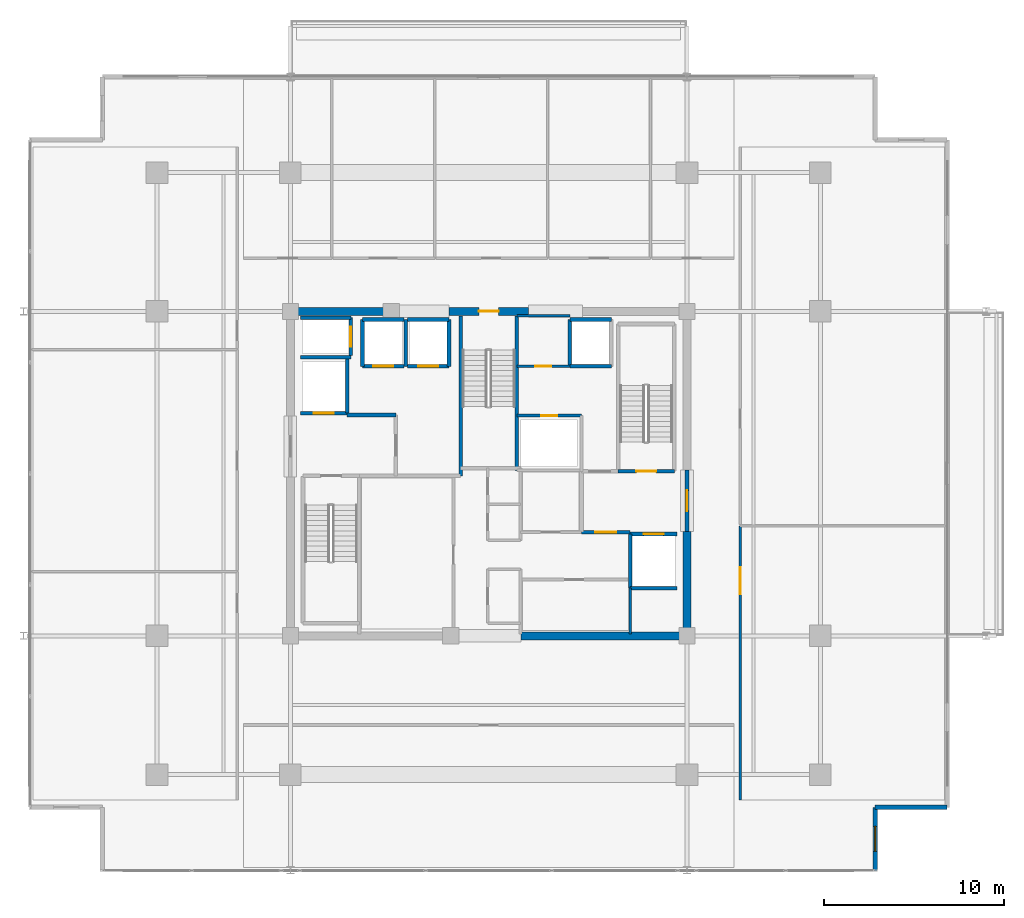
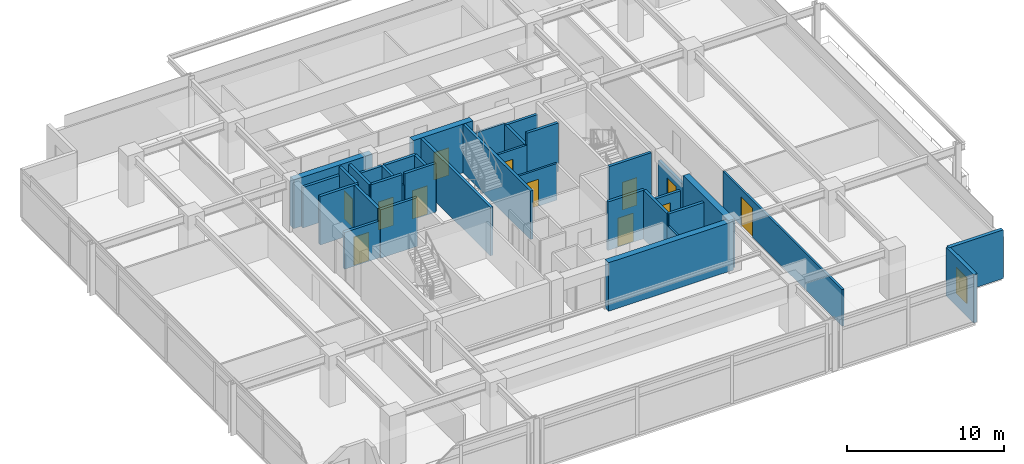
# One storey, part 14 of 20: 35 walls, 12 doors, 1 window, 13 openings.
"""IFC4 building model written with IfcOpenShell, lengths in metres."""

from ifc_helpers import new_model, si_unit, direction, frame, frame_2d, origin, place, context, subcontext, project, spatial, rectangle, extrude, material, layer, layer_set, type_object, element, fill, save


model = new_model("IFC4")

# Units and contexts
model_context = context("Model", 3, precision=1e-05, world=origin(), true_north=direction((0.0, 1.0)))
body_context = subcontext(model_context, "Body", "Model", "MODEL_VIEW")
ifc_project = project(units=[si_unit("LENGTHUNIT", "METRE"), si_unit("AREAUNIT", "SQUARE_METRE"), si_unit("VOLUMEUNIT", "CUBIC_METRE"), si_unit("PLANEANGLEUNIT", "RADIAN"), si_unit("MASSUNIT", "GRAM", prefix="KILO")], contexts=[model_context])

# Site, building, storey
site_placement = place(None, origin())
site = spatial("IfcSite", under=ifc_project, at=site_placement, CompositionType="ELEMENT")
building_placement = place(site_placement, origin())
building = spatial("IfcBuilding", under=site, at=building_placement, Name="Kovane Verandah Tower", CompositionType="ELEMENT")
storey_placement = place(building_placement, frame((0.0, 0.0, 287.199951171875)))
storey = spatial("IfcBuildingStorey", under=building, at=storey_placement, Name="L67", CompositionType="ELEMENT", Elevation=287.199951171875)

# Wall
ifc_material_1 = material(Name="Fire-Rated Gypsum Stud Partition", Category="gypsum")
ifc_layer_1 = layer(ifc_material_1, 0.14990234375)
ifc_layer_set_1 = layer_set([ifc_layer_1], Name="Fire-Rated Gypsum Stud Partition")
wall_type_1 = type_object("IfcWallType", Name="WL-COR-150", PredefinedType="PARTITIONING", material=ifc_layer_set_1)
wall_1_placement = place(storey_placement, frame((47.85009765625, 18.60009765625, 0.0), z_axis=(0.0, 0.0, 1.0), x_axis=(0.0, 1.0, 0.0)))
element("IfcWall", 1, at=wall_1_placement, inside=storey, type_object=wall_type_1, Name="L67 East Core Support East Wall", PredefinedType="PARTITIONING", context=body_context, shape_type="SweptSolid", body=[
    extrude(rectangle(XDim=2.539794921875, YDim=0.14990234375, at=frame_2d((1.27001953125, 0.0))), origin(), (0.0, 0.0, 1.0), 2.85009765625),
])

# Wall, opening, door
wall_2_placement = place(storey_placement, frame((41.56005859375, 30.719970703125, 0.0), z_axis=(0.0, 0.0, 1.0), x_axis=(1.0, 0.0, 0.0)))
wall_2 = element("IfcWall", 2, at=wall_2_placement, inside=storey, type_object=wall_type_1, Name="L67 Combined Chilled Water and Smoke Duct Room Partition", PredefinedType="PARTITIONING", context=body_context, shape_type="SweptSolid", body=[
    extrude(rectangle(XDim=3.58984375, YDim=0.14990234375, at=frame_2d((1.794921875, 0.0))), origin(), (0.0, 0.0, 1.0), 2.85009765625),
])
opening_1_placement = place(wall_2_placement, frame((1.35498046875, 0.0, 0.0)))
opening_1 = element("IfcOpeningElement", 3, at=opening_1_placement, cuts=wall_2, Name="Opening DR-L67-017", PredefinedType="OPENING", context=body_context, shape_type="SweptSolid", body=[
    extrude(rectangle(XDim=0.8798828125, YDim=2.10009765625, at=frame_2d((0.43994140625, 1.050048828125))), frame((0.0, 0.074951171875, 0.0), z_axis=(0.0, -1.0, 0.0), x_axis=(1.0, 0.0, 0.0)), (0.0, 0.0, 1.0), 0.14990234375),
])
ifc_material_2 = material(Name="Fire-Rated Steel Riser Access Door", Category="steel")
door_type_1 = type_object("IfcDoorType", Name="DR-RISER-880", OperationType="SINGLE_SWING_LEFT", PredefinedType="DOOR", material=ifc_material_2)
door_1_placement = place(opening_1_placement, origin())
door_1 = element("IfcDoor", 4, at=door_1_placement, inside=storey, type_object=door_type_1, Name="L67 Combined Chilled Water and Smoke Duct Room Door", OperationType="SINGLE_SWING_RIGHT", OverallHeight=2.10009765625, OverallWidth=0.8798828125, PredefinedType="DOOR", context=body_context, shape_type="SweptSolid", body=[
    extrude(rectangle(XDim=0.8798828125, YDim=2.10009765625, at=frame_2d((0.43994140625, 1.050048828125))), frame((0.0, 0.02490234375, 0.0), z_axis=(0.0, -1.0, 0.0), x_axis=(1.0, 0.0, 0.0)), (0.0, 0.0, 1.0), 0.050048828125),
])
fill(opening_1, door_1)

# Wall
wall_3_placement = place(storey_placement, frame((41.56005859375, 36.25, 0.0), z_axis=(0.0, 0.0, 1.0), x_axis=(1.0, 0.0, 0.0)))
element("IfcWall", 5, at=wall_3_placement, inside=storey, type_object=wall_type_1, Name="L67 Sky Telecom Riser North Wall", PredefinedType="PARTITIONING", context=body_context, shape_type="SweptSolid", body=[
    extrude(rectangle(XDim=2.93994140625, YDim=0.14990234375, at=frame_2d((1.469970703125, 0.0))), origin(), (0.0, 0.0, 1.0), 2.85009765625),
])

# Wall, opening, door
wall_4_placement = place(storey_placement, frame((41.56005859375, 33.449951171875, 0.0), z_axis=(0.0, 0.0, 1.0), x_axis=(1.0, 0.0, 0.0)))
wall_4 = element("IfcWall", 6, at=wall_4_placement, inside=storey, type_object=wall_type_1, Name="L67 Sky Telecom Riser Room Partition", PredefinedType="PARTITIONING", context=body_context, shape_type="SweptSolid", body=[
    extrude(rectangle(XDim=2.93994140625, YDim=0.14990234375, at=frame_2d((1.469970703125, 0.0))), origin(), (0.0, 0.0, 1.0), 2.85009765625),
])
opening_2_placement = place(wall_4_placement, frame((1.030029296875, 0.0, 0.0)))
opening_2 = element("IfcOpeningElement", 7, at=opening_2_placement, cuts=wall_4, Name="Opening DR-L67-016", PredefinedType="OPENING", context=body_context, shape_type="SweptSolid", body=[
    extrude(rectangle(XDim=0.8798828125, YDim=2.10009765625, at=frame_2d((0.43994140625, 1.050048828125))), frame((0.0, 0.074951171875, 0.0), z_axis=(0.0, -1.0, 0.0), x_axis=(1.0, 0.0, 0.0)), (0.0, 0.0, 1.0), 0.14990234375),
])
door_2_placement = place(opening_2_placement, origin())
door_2 = element("IfcDoor", 8, at=door_2_placement, inside=storey, type_object=door_type_1, Name="L67 Sky Telecom Riser Room Door", OperationType="SINGLE_SWING_LEFT", OverallHeight=2.10009765625, OverallWidth=0.8798828125, PredefinedType="DOOR", context=body_context, shape_type="SweptSolid", body=[
    extrude(rectangle(XDim=0.8798828125, YDim=2.10009765625, at=frame_2d((0.43994140625, 1.050048828125))), frame((0.0, 0.02490234375, 0.0), z_axis=(0.0, -1.0, 0.0), x_axis=(1.0, 0.0, 0.0)), (0.0, 0.0, 1.0), 0.050048828125),
])
fill(opening_2, door_2)

wall_5_placement = place(storey_placement, frame((53.949951171875, 9.3857421875, 0.0), z_axis=(0.0, 0.0, 1.0), x_axis=(0.0, 1.0, 0.0)))
wall_5 = element("IfcWall", 9, at=wall_5_placement, inside=storey, type_object=wall_type_1, Name="L67 Client Boardroom E1 Corridor Partition", PredefinedType="PARTITIONING", context=body_context, shape_type="SweptSolid", body=[
    extrude(rectangle(XDim=15.216064453125, YDim=0.14990234375, at=frame_2d((7.60791015625, 0.0))), origin(), (0.0, 0.0, 1.0), 2.85009765625),
])
opening_3_placement = place(wall_5_placement, frame((11.43017578125, 0.0, 0.0)))
opening_3 = element("IfcOpeningElement", 10, at=opening_3_placement, cuts=wall_5, Name="Opening DR-L67-011", PredefinedType="OPENING", context=body_context, shape_type="SweptSolid", body=[
    extrude(rectangle(XDim=1.5, YDim=2.25, at=frame_2d((0.75, 1.125))), frame((0.0, 0.074951171875, 0.0), z_axis=(0.0, -1.0, 0.0), x_axis=(1.0, 0.0, 0.0)), (0.0, 0.0, 1.0), 0.14990234375),
])
ifc_material_3 = material(Name="Glazed Timber Fire-Rated Double Door", Category="wood")
door_type_2 = type_object("IfcDoorType", Name="DR-CONF-1500", OperationType="DOUBLE_DOOR_SINGLE_SWING", PredefinedType="DOOR", material=ifc_material_3)
door_3_placement = place(opening_3_placement, origin())
door_3 = element("IfcDoor", 11, at=door_3_placement, inside=storey, type_object=door_type_2, Name="L67 Client Boardroom E1 Entrance Door", OperationType="DOUBLE_DOOR_SINGLE_SWING", OverallHeight=2.25, OverallWidth=1.5, PredefinedType="DOOR", context=body_context, shape_type="SweptSolid", body=[
    extrude(rectangle(XDim=1.5, YDim=2.25, at=frame_2d((0.75, 1.125))), frame((0.0, 0.02490234375, 0.0), z_axis=(0.0, -1.0, 0.0), x_axis=(1.0, 0.0, 0.0)), (0.0, 0.0, 1.0), 0.050048828125),
])
fill(opening_3, door_3)

# Walls
ifc_material_4 = material(Name="Concrete C60/75", Category="concrete")
ifc_layer_2 = layer(ifc_material_4, 0.449951171875)
ifc_layer_set_2 = layer_set([ifc_layer_2], Name="Concrete C60/75")
wall_type_2 = type_object("IfcWallType", Name="WL-CORE-450", PredefinedType="SHEAR", material=ifc_layer_set_2)
wall_6_placement = place(storey_placement, frame((41.800048828125, 18.5, 0.0), z_axis=(0.0, 0.0, 1.0), x_axis=(1.0, 0.0, 0.0)))
element("IfcWall", 12, at=wall_6_placement, inside=storey, type_object=wall_type_2, Name="L67 Core Shear Wall CS-2", PredefinedType="SHEAR", context=body_context, shape_type="SweptSolid", body=[
    extrude(rectangle(XDim=9.199951171875, YDim=0.449951171875, at=frame_2d((4.60009765625, 0.0))), origin(), (0.0, 0.0, 1.0), 3.78515625),
])
wall_7_placement = place(storey_placement, frame((29.0, 36.5, 0.0), z_axis=(0.0, 0.0, 1.0), x_axis=(1.0, 0.0, 0.0)))
element("IfcWall", 13, at=wall_7_placement, inside=storey, type_object=wall_type_2, Name="L67 Core Shear Wall CN-1", PredefinedType="SHEAR", context=body_context, shape_type="SweptSolid", body=[
    extrude(rectangle(XDim=5.800048828125, YDim=0.449951171875, at=frame_2d((2.89990234375, 0.0))), origin(), (0.0, 0.0, 1.0), 3.78515625),
])

# Wall, opening, door
wall_8_placement = place(storey_placement, frame((37.800048828125, 36.5, 0.0), z_axis=(0.0, 0.0, 1.0), x_axis=(1.0, 0.0, 0.0)))
wall_8 = element("IfcWall", 14, at=wall_8_placement, inside=storey, type_object=wall_type_2, Name="L67 Core Shear Wall CN-2", PredefinedType="SHEAR", context=body_context, shape_type="SweptSolid", body=[
    extrude(rectangle(XDim=4.39990234375, YDim=0.449951171875, at=frame_2d((2.199951171875, 0.0))), origin(), (0.0, 0.0, 1.0), 3.78515625),
])
opening_4_placement = place(wall_8_placement, frame((1.64990234375, 0.0, 0.0)))
opening_4 = element("IfcOpeningElement", 15, at=opening_4_placement, cuts=wall_8, Name="Opening DR-L67-010", PredefinedType="OPENING", context=body_context, shape_type="SweptSolid", body=[
    extrude(rectangle(XDim=1.10009765625, YDim=2.14990234375, at=frame_2d((0.550048828125, 1.074951171875))), frame((0.0, 0.22509765625, 0.0), z_axis=(0.0, -1.0, 0.0), x_axis=(1.0, 0.0, 0.0)), (0.0, 0.0, 1.0), 0.449951171875),
])
ifc_material_5 = material(Name="Fire-Rated Steel Exit Door", Category="steel")
door_type_3 = type_object("IfcDoorType", Name="DR-STAIR-1100", OperationType="SINGLE_SWING_LEFT", PredefinedType="DOOR", material=ifc_material_5)
door_4_placement = place(opening_4_placement, origin())
door_4 = element("IfcDoor", 16, at=door_4_placement, inside=storey, type_object=door_type_3, Name="L67 ST-03 Fire Exit Stair Door", OperationType="SINGLE_SWING_LEFT", OverallHeight=2.14990234375, OverallWidth=1.10009765625, PredefinedType="DOOR", context=body_context, shape_type="SweptSolid", body=[
    extrude(rectangle(XDim=1.10009765625, YDim=2.14990234375, at=frame_2d((0.550048828125, 1.074951171875))), frame((0.0, 0.02490234375, 0.0), z_axis=(0.0, -1.0, 0.0), x_axis=(1.0, 0.0, 0.0)), (0.0, 0.0, 1.0), 0.050048828125),
])
fill(opening_4, door_4)

# Walls
wall_9_placement = place(storey_placement, frame((51.0, 18.5, 0.0), z_axis=(0.0, 0.0, 1.0), x_axis=(0.0, 1.0, 0.0)))
element("IfcWall", 17, at=wall_9_placement, inside=storey, type_object=wall_type_2, Name="L67 Core Shear Wall CE-1", PredefinedType="SHEAR", context=body_context, shape_type="SweptSolid", body=[
    extrude(rectangle(XDim=5.800048828125, YDim=0.449951171875, at=frame_2d((2.89990234375, 0.0))), origin(), (0.0, 0.0, 1.0), 3.78515625),
])
ifc_material_6 = material(Name="Concrete C45/55 Fire Wall", Category="concrete")
ifc_layer_3 = layer(ifc_material_6, 0.199951171875)
ifc_layer_set_3 = layer_set([ifc_layer_3], Name="Concrete C45/55 Fire Wall")
wall_type_3 = type_object("IfcWallType", Name="WL-FFL-200", PredefinedType="PARTITIONING", material=ifc_layer_set_3)
wall_10_placement = place(storey_placement, frame((32.14990234375, 30.75, 0.0), z_axis=(0.0, 0.0, 1.0), x_axis=(1.0, 0.0, 0.0)))
element("IfcWall", 18, at=wall_10_placement, inside=storey, type_object=wall_type_3, Name="L67 West Firefighting Lobby North Fire Wall", PredefinedType="PARTITIONING", context=body_context, shape_type="SweptSolid", body=[
    extrude(rectangle(XDim=2.7001953125, YDim=0.199951171875, at=frame_2d((1.35009765625, 0.0))), origin(), (0.0, 0.0, 1.0), 3.78515625),
])

# Wall, opening, door
wall_11_placement = place(storey_placement, frame((45.14990234375, 24.25, 0.0), z_axis=(0.0, 0.0, 1.0), x_axis=(1.0, 0.0, 0.0)))
wall_11 = element("IfcWall", 19, at=wall_11_placement, inside=storey, type_object=wall_type_3, Name="W-L67-FFLE-S", PredefinedType="PARTITIONING", context=body_context, shape_type="SweptSolid", body=[
    extrude(rectangle(XDim=2.7001953125, YDim=0.199951171875, at=frame_2d((1.35009765625, 0.0))), origin(), (0.0, 0.0, 1.0), 3.78515625),
])
opening_5_placement = place(wall_11_placement, frame((0.77490234375, 0.0, 0.0)))
opening_5 = element("IfcOpeningElement", 20, at=opening_5_placement, cuts=wall_11, Name="Opening DR-L67-003", PredefinedType="OPENING", context=body_context, shape_type="SweptSolid", body=[
    extrude(rectangle(XDim=1.14990234375, YDim=2.199951171875, at=frame_2d((0.574951171875, 1.10009765625))), frame((0.0, 0.10009765625, 0.0), z_axis=(0.0, -1.0, 0.0), x_axis=(1.0, 0.0, 0.0)), (0.0, 0.0, 1.0), 0.199951171875),
])
ifc_material_7 = material(Name="Smoke-Sealed Firefighting Lobby Door", Category="steel")
door_type_4 = type_object("IfcDoorType", Name="DR-FFL-1150", OperationType="SINGLE_SWING_LEFT", PredefinedType="DOOR", material=ifc_material_7)
door_5_placement = place(opening_5_placement, origin())
door_5 = element("IfcDoor", 21, at=door_5_placement, inside=storey, type_object=door_type_4, Name="L67 East Firefighting Lobby Inner Door", OperationType="SINGLE_SWING_RIGHT", OverallHeight=2.199951171875, OverallWidth=1.14990234375, PredefinedType="DOOR", context=body_context, shape_type="SweptSolid", body=[
    extrude(rectangle(XDim=1.14990234375, YDim=2.199951171875, at=frame_2d((0.574951171875, 1.10009765625))), frame((0.0, 0.02490234375, 0.0), z_axis=(0.0, -1.0, 0.0), x_axis=(1.0, 0.0, 0.0)), (0.0, 0.0, 1.0), 0.050048828125),
])
fill(opening_5, door_5)

wall_12_placement = place(storey_placement, frame((51.0, 24.300048828125, 0.0), z_axis=(0.0, 0.0, 1.0), x_axis=(0.0, 1.0, 0.0)))
wall_12 = element("IfcWall", 22, at=wall_12_placement, inside=storey, type_object=wall_type_3, Name="W-L67-FFLE-OUT", PredefinedType="PARTITIONING", context=body_context, shape_type="SweptSolid", body=[
    extrude(rectangle(XDim=3.39990234375, YDim=0.199951171875, at=frame_2d((1.699951171875, 0.0))), origin(), (0.0, 0.0, 1.0), 2.864990234375),
])
opening_6_placement = place(wall_12_placement, frame((1.125, 0.0, 0.0)))
opening_6 = element("IfcOpeningElement", 23, at=opening_6_placement, cuts=wall_12, Name="Opening DR-L67-005", PredefinedType="OPENING", context=body_context, shape_type="SweptSolid", body=[
    extrude(rectangle(XDim=1.14990234375, YDim=2.199951171875, at=frame_2d((0.574951171875, 1.10009765625))), frame((0.0, 0.10009765625, 0.0), z_axis=(0.0, -1.0, 0.0), x_axis=(1.0, 0.0, 0.0)), (0.0, 0.0, 1.0), 0.199951171875),
])
door_6_placement = place(opening_6_placement, origin())
door_6 = element("IfcDoor", 24, at=door_6_placement, inside=storey, type_object=door_type_4, Name="L67 East Firefighting Lobby Corridor Door", OperationType="SINGLE_SWING_LEFT", OverallHeight=2.199951171875, OverallWidth=1.14990234375, PredefinedType="DOOR", context=body_context, shape_type="SweptSolid", body=[
    extrude(rectangle(XDim=1.14990234375, YDim=2.199951171875, at=frame_2d((0.574951171875, 1.10009765625))), frame((0.0, 0.02490234375, 0.0), z_axis=(0.0, -1.0, 0.0), x_axis=(1.0, 0.0, 0.0)), (0.0, 0.0, 1.0), 0.050048828125),
])
fill(opening_6, door_6)

ifc_material_8 = material(Name="Concrete C45/55 Lift Shaft Wall", Category="concrete")
ifc_layer_4 = layer(ifc_material_8, 0.199951171875)
ifc_layer_set_4 = layer_set([ifc_layer_4], Name="Concrete C45/55 Lift Shaft Wall")
wall_type_4 = type_object("IfcWallType", Name="WL-LIFT-200", PredefinedType="SOLIDWALL", material=ifc_layer_set_4)
wall_13_placement = place(storey_placement, frame((29.550048828125, 30.85009765625, 0.0), z_axis=(0.0, 0.0, 1.0), x_axis=(1.0, 0.0, 0.0)))
wall_13 = element("IfcWall", 25, at=wall_13_placement, inside=storey, type_object=wall_type_4, Name="L67 Lift FL-01 S Shaft Wall", PredefinedType="SOLIDWALL", context=body_context, shape_type="SweptSolid", body=[
    extrude(rectangle(XDim=2.599853515625, YDim=0.199951171875, at=frame_2d((1.2998046875, 0.0))), origin(), (0.0, 0.0, 1.0), 2.864990234375),
])
opening_7_placement = place(wall_13_placement, frame((0.75, 0.0, 0.0)))
opening_7 = element("IfcOpeningElement", 26, at=opening_7_placement, cuts=wall_13, Name="Opening LD-L67-001", PredefinedType="OPENING", context=body_context, shape_type="SweptSolid", body=[
    extrude(rectangle(XDim=1.10009765625, YDim=2.199951171875, at=frame_2d((0.550048828125, 1.10009765625))), frame((0.0, 0.10009765625, 0.0), z_axis=(0.0, -1.0, 0.0), x_axis=(1.0, 0.0, 0.0)), (0.0, 0.0, 1.0), 0.199951171875),
])
ifc_material_9 = material(Name="Brushed Stainless Steel Sliding Lift Landing Door", Category="steel")
door_type_5 = type_object("IfcDoorType", Name="DR-LIFT-1100", OperationType="SLIDING_TO_RIGHT", PredefinedType="DOOR", material=ifc_material_9)
door_7_placement = place(opening_7_placement, origin())
door_7 = element("IfcDoor", 27, at=door_7_placement, inside=storey, type_object=door_type_5, Name="L67 Lift FL-01 Sliding Landing Door", OperationType="SLIDING_TO_RIGHT", OverallHeight=2.199951171875, OverallWidth=1.10009765625, PredefinedType="DOOR", context=body_context, shape_type="SweptSolid", body=[
    extrude(rectangle(XDim=1.10009765625, YDim=2.199951171875, at=frame_2d((0.550048828125, 1.10009765625))), frame((0.0, 0.02490234375, 0.0), z_axis=(0.0, -1.0, 0.0), x_axis=(1.0, 0.0, 0.0)), (0.0, 0.0, 1.0), 0.050048828125),
])
fill(opening_7, door_7)

# Walls
wall_14_placement = place(storey_placement, frame((29.550048828125, 33.949951171875, 0.0), z_axis=(0.0, 0.0, 1.0), x_axis=(1.0, 0.0, 0.0)))
element("IfcWall", 28, at=wall_14_placement, inside=storey, type_object=wall_type_4, Name="L67 Lift FL-01 and GL-01 Shared Shaft Wall", PredefinedType="SOLIDWALL", context=body_context, shape_type="SweptSolid", body=[
    extrude(rectangle(XDim=2.800048828125, YDim=0.199951171875, at=frame_2d((1.39990234375, 0.0))), origin(), (0.0, 0.0, 1.0), 3.78515625),
])
wall_15_placement = place(storey_placement, frame((32.14990234375, 30.85009765625, 0.0), z_axis=(0.0, 0.0, 1.0), x_axis=(0.0, 1.0, 0.0)))
element("IfcWall", 29, at=wall_15_placement, inside=storey, type_object=wall_type_4, Name="L67 Lift FL-01 E Shaft Wall", PredefinedType="SOLIDWALL", context=body_context, shape_type="SweptSolid", body=[
    extrude(rectangle(XDim=3.0, YDim=0.199951171875, at=frame_2d((1.5, 0.0))), origin(), (0.0, 0.0, 1.0), 3.78515625),
])
wall_16_placement = place(storey_placement, frame((47.85009765625, 21.14990234375, 0.0), z_axis=(0.0, 0.0, 1.0), x_axis=(1.0, 0.0, 0.0)))
element("IfcWall", 30, at=wall_16_placement, inside=storey, type_object=wall_type_4, Name="L67 Lift FL-02 S Shaft Wall", PredefinedType="SOLIDWALL", context=body_context, shape_type="SweptSolid", body=[
    extrude(rectangle(XDim=2.599853515625, YDim=0.199951171875, at=frame_2d((1.2998046875, 0.0))), origin(), (0.0, 0.0, 1.0), 3.78515625),
])

# Wall, opening, door
wall_17_placement = place(storey_placement, frame((50.449951171875, 24.14990234375, 0.0), z_axis=(0.0, 0.0, 1.0), x_axis=(-1.0, 0.0, 0.0)))
wall_17 = element("IfcWall", 31, at=wall_17_placement, inside=storey, type_object=wall_type_4, Name="L67 Lift FL-02 N Shaft Wall", PredefinedType="SOLIDWALL", context=body_context, shape_type="SweptSolid", body=[
    extrude(rectangle(XDim=2.599853515625, YDim=0.199951171875, at=frame_2d((1.2998046875, 0.0))), origin(), (0.0, 0.0, 1.0), 2.864990234375),
])
opening_8_placement = place(wall_17_placement, frame((0.75, 0.0, 0.0)))
opening_8 = element("IfcOpeningElement", 32, at=opening_8_placement, cuts=wall_17, Name="Opening LD-L67-002", PredefinedType="OPENING", context=body_context, shape_type="SweptSolid", body=[
    extrude(rectangle(XDim=1.10009765625, YDim=2.199951171875, at=frame_2d((0.550048828125, 1.10009765625))), frame((0.0, 0.10009765625, 0.0), z_axis=(0.0, -1.0, 0.0), x_axis=(1.0, 0.0, 0.0)), (0.0, 0.0, 1.0), 0.199951171875),
])
door_8_placement = place(opening_8_placement, origin())
door_8 = element("IfcDoor", 33, at=door_8_placement, inside=storey, type_object=door_type_5, Name="L67 Lift FL-02 Sliding Landing Door", OperationType="SLIDING_TO_RIGHT", OverallHeight=2.199951171875, OverallWidth=1.10009765625, PredefinedType="DOOR", context=body_context, shape_type="SweptSolid", body=[
    extrude(rectangle(XDim=1.10009765625, YDim=2.199951171875, at=frame_2d((0.550048828125, 1.10009765625))), frame((0.0, 0.02490234375, 0.0), z_axis=(0.0, -1.0, 0.0), x_axis=(1.0, 0.0, 0.0)), (0.0, 0.0, 1.0), 0.050048828125),
])
fill(opening_8, door_8)

# Walls
wall_18_placement = place(storey_placement, frame((47.85009765625, 24.14990234375, 0.0), z_axis=(0.0, 0.0, 1.0), x_axis=(0.0, -1.0, 0.0)))
element("IfcWall", 34, at=wall_18_placement, inside=storey, type_object=wall_type_4, Name="L67 Lift FL-02 W Shaft Wall", PredefinedType="SOLIDWALL", context=body_context, shape_type="SweptSolid", body=[
    extrude(rectangle(XDim=3.0, YDim=0.199951171875, at=frame_2d((1.5, 0.0))), origin(), (0.0, 0.0, 1.0), 3.78515625),
])
wall_19_placement = place(storey_placement, frame((32.35009765625, 36.14990234375, 0.0), z_axis=(0.0, 0.0, 1.0), x_axis=(-1.0, 0.0, 0.0)))
element("IfcWall", 35, at=wall_19_placement, inside=storey, type_object=wall_type_4, Name="L67 Lift GL-01 N Shaft Wall", PredefinedType="SOLIDWALL", context=body_context, shape_type="SweptSolid", body=[
    extrude(rectangle(XDim=2.800048828125, YDim=0.199951171875, at=frame_2d((1.39990234375, 0.0))), origin(), (0.0, 0.0, 1.0), 3.14794921875),
])

# Wall, opening, door
wall_20_placement = place(storey_placement, frame((32.35009765625, 34.050048828125, 0.0), z_axis=(0.0, 0.0, 1.0), x_axis=(0.0, 1.0, 0.0)))
wall_20 = element("IfcWall", 36, at=wall_20_placement, inside=storey, type_object=wall_type_4, Name="L67 Lift GL-01 E Shaft Wall", PredefinedType="SOLIDWALL", context=body_context, shape_type="SweptSolid", body=[
    extrude(rectangle(XDim=2.099853515625, YDim=0.199951171875, at=frame_2d((1.0498046875, 0.0))), origin(), (0.0, 0.0, 1.0), 3.78515625),
])
opening_9_placement = place(wall_20_placement, frame((0.5, 0.0, 0.0)))
opening_9 = element("IfcOpeningElement", 37, at=opening_9_placement, cuts=wall_20, Name="Opening LD-L67-003", PredefinedType="OPENING", context=body_context, shape_type="SweptSolid", body=[
    extrude(rectangle(XDim=1.10009765625, YDim=2.199951171875, at=frame_2d((0.550048828125, 1.10009765625))), frame((0.0, 0.10009765625, 0.0), z_axis=(0.0, -1.0, 0.0), x_axis=(1.0, 0.0, 0.0)), (0.0, 0.0, 1.0), 0.199951171875),
])
door_9_placement = place(opening_9_placement, origin())
door_9 = element("IfcDoor", 38, at=door_9_placement, inside=storey, type_object=door_type_5, Name="L67 Lift GL-01 Sliding Landing Door", OperationType="SLIDING_TO_RIGHT", OverallHeight=2.199951171875, OverallWidth=1.10009765625, PredefinedType="DOOR", context=body_context, shape_type="SweptSolid", body=[
    extrude(rectangle(XDim=1.10009765625, YDim=2.199951171875, at=frame_2d((0.550048828125, 1.10009765625))), frame((0.0, 0.02490234375, 0.0), z_axis=(0.0, -1.0, 0.0), x_axis=(1.0, 0.0, 0.0)), (0.0, 0.0, 1.0), 0.050048828125),
])
fill(opening_9, door_9)

wall_21_placement = place(storey_placement, frame((33.0, 33.449951171875, 0.0), z_axis=(0.0, 0.0, 1.0), x_axis=(1.0, 0.0, 0.0)))
wall_21 = element("IfcWall", 39, at=wall_21_placement, inside=storey, type_object=wall_type_4, Name="L67 Lift PL-H1 S Shaft Wall", PredefinedType="SOLIDWALL", context=body_context, shape_type="SweptSolid", body=[
    extrude(rectangle(XDim=2.300048828125, YDim=0.199951171875, at=frame_2d((1.14990234375, 0.0))), origin(), (0.0, 0.0, 1.0), 3.78515625),
])
opening_10_placement = place(wall_21_placement, frame((0.60009765625, 0.0, 0.0)))
opening_10 = element("IfcOpeningElement", 40, at=opening_10_placement, cuts=wall_21, Name="Opening LD-L67-004", PredefinedType="OPENING", context=body_context, shape_type="SweptSolid", body=[
    extrude(rectangle(XDim=1.10009765625, YDim=2.199951171875, at=frame_2d((0.550048828125, 1.10009765625))), frame((0.0, 0.10009765625, 0.0), z_axis=(0.0, -1.0, 0.0), x_axis=(1.0, 0.0, 0.0)), (0.0, 0.0, 1.0), 0.199951171875),
])
door_10_placement = place(opening_10_placement, origin())
door_10 = element("IfcDoor", 41, at=door_10_placement, inside=storey, type_object=door_type_5, Name="L67 Lift PL-H1 Sliding Landing Door", OperationType="SLIDING_TO_RIGHT", OverallHeight=2.199951171875, OverallWidth=1.10009765625, PredefinedType="DOOR", context=body_context, shape_type="SweptSolid", body=[
    extrude(rectangle(XDim=1.10009765625, YDim=2.199951171875, at=frame_2d((0.550048828125, 1.10009765625))), frame((0.0, 0.02490234375, 0.0), z_axis=(0.0, -1.0, 0.0), x_axis=(1.0, 0.0, 0.0)), (0.0, 0.0, 1.0), 0.050048828125),
])
fill(opening_10, door_10)

# Walls
wall_22_placement = place(storey_placement, frame((35.300048828125, 36.050048828125, 0.0), z_axis=(0.0, 0.0, 1.0), x_axis=(-1.0, 0.0, 0.0)))
element("IfcWall", 42, at=wall_22_placement, inside=storey, type_object=wall_type_4, Name="L67 Lift PL-H1 N Shaft Wall", PredefinedType="SOLIDWALL", context=body_context, shape_type="SweptSolid", body=[
    extrude(rectangle(XDim=2.300048828125, YDim=0.199951171875, at=frame_2d((1.14990234375, 0.0))), origin(), (0.0, 0.0, 1.0), 2.864990234375),
])
wall_23_placement = place(storey_placement, frame((33.0, 36.050048828125, 0.0), z_axis=(0.0, 0.0, 1.0), x_axis=(0.0, -1.0, 0.0)))
element("IfcWall", 43, at=wall_23_placement, inside=storey, type_object=wall_type_4, Name="L67 Lift PL-H1 W Shaft Wall", PredefinedType="SOLIDWALL", context=body_context, shape_type="SweptSolid", body=[
    extrude(rectangle(XDim=2.60009765625, YDim=0.199951171875, at=frame_2d((1.300048828125, 0.0))), origin(), (0.0, 0.0, 1.0), 3.78515625),
])
wall_24_placement = place(storey_placement, frame((35.39990234375, 33.449951171875, 0.0), z_axis=(0.0, 0.0, 1.0), x_axis=(0.0, 1.0, 0.0)))
element("IfcWall", 44, at=wall_24_placement, inside=storey, type_object=wall_type_4, Name="L67 Lift PL-H1 and PL-H2 Shared Shaft Wall", PredefinedType="SOLIDWALL", context=body_context, shape_type="SweptSolid", body=[
    extrude(rectangle(XDim=2.60009765625, YDim=0.199951171875, at=frame_2d((1.300048828125, 0.0))), origin(), (0.0, 0.0, 1.0), 2.864990234375),
])

# Wall, opening, door
wall_25_placement = place(storey_placement, frame((35.5, 33.449951171875, 0.0), z_axis=(0.0, 0.0, 1.0), x_axis=(1.0, 0.0, 0.0)))
wall_25 = element("IfcWall", 45, at=wall_25_placement, inside=storey, type_object=wall_type_4, Name="L67 Lift PL-H2 S Shaft Wall", PredefinedType="SOLIDWALL", context=body_context, shape_type="SweptSolid", body=[
    extrude(rectangle(XDim=2.300048828125, YDim=0.199951171875, at=frame_2d((1.14990234375, 0.0))), origin(), (0.0, 0.0, 1.0), 3.78515625),
])
opening_11_placement = place(wall_25_placement, frame((0.60009765625, 0.0, 0.0)))
opening_11 = element("IfcOpeningElement", 46, at=opening_11_placement, cuts=wall_25, Name="Opening LD-L67-005", PredefinedType="OPENING", context=body_context, shape_type="SweptSolid", body=[
    extrude(rectangle(XDim=1.10009765625, YDim=2.199951171875, at=frame_2d((0.550048828125, 1.10009765625))), frame((0.0, 0.10009765625, 0.0), z_axis=(0.0, -1.0, 0.0), x_axis=(1.0, 0.0, 0.0)), (0.0, 0.0, 1.0), 0.199951171875),
])
door_11_placement = place(opening_11_placement, origin())
door_11 = element("IfcDoor", 47, at=door_11_placement, inside=storey, type_object=door_type_5, Name="L67 Lift PL-H2 Sliding Landing Door", OperationType="SLIDING_TO_RIGHT", OverallHeight=2.199951171875, OverallWidth=1.10009765625, PredefinedType="DOOR", context=body_context, shape_type="SweptSolid", body=[
    extrude(rectangle(XDim=1.10009765625, YDim=2.199951171875, at=frame_2d((0.550048828125, 1.10009765625))), frame((0.0, 0.02490234375, 0.0), z_axis=(0.0, -1.0, 0.0), x_axis=(1.0, 0.0, 0.0)), (0.0, 0.0, 1.0), 0.050048828125),
])
fill(opening_11, door_11)

# Walls
wall_26_placement = place(storey_placement, frame((37.800048828125, 36.050048828125, 0.0), z_axis=(0.0, 0.0, 1.0), x_axis=(-1.0, 0.0, 0.0)))
element("IfcWall", 48, at=wall_26_placement, inside=storey, type_object=wall_type_4, Name="L67 Lift PL-H2 N Shaft Wall", PredefinedType="SOLIDWALL", context=body_context, shape_type="SweptSolid", body=[
    extrude(rectangle(XDim=2.300048828125, YDim=0.199951171875, at=frame_2d((1.14990234375, 0.0))), origin(), (0.0, 0.0, 1.0), 2.864990234375),
])
wall_27_placement = place(storey_placement, frame((37.800048828125, 33.449951171875, 0.0), z_axis=(0.0, 0.0, 1.0), x_axis=(0.0, 1.0, 0.0)))
element("IfcWall", 49, at=wall_27_placement, inside=storey, type_object=wall_type_4, Name="L67 Lift PL-H2 E Shaft Wall", PredefinedType="SOLIDWALL", context=body_context, shape_type="SweptSolid", body=[
    extrude(rectangle(XDim=2.60009765625, YDim=0.199951171875, at=frame_2d((1.300048828125, 0.0))), origin(), (0.0, 0.0, 1.0), 2.864990234375),
])
wall_28_placement = place(storey_placement, frame((44.5, 33.449951171875, 0.0), z_axis=(0.0, 0.0, 1.0), x_axis=(1.0, 0.0, 0.0)))
element("IfcWall", 50, at=wall_28_placement, inside=storey, type_object=wall_type_4, Name="L67 Lift OL-01 S Shaft Wall", PredefinedType="SOLIDWALL", context=body_context, shape_type="SweptSolid", body=[
    extrude(rectangle(XDim=2.300048828125, YDim=0.199951171875, at=frame_2d((1.14990234375, 0.0))), origin(), (0.0, 0.0, 1.0), 3.78515625),
])
wall_29_placement = place(storey_placement, frame((46.800048828125, 36.050048828125, 0.0), z_axis=(0.0, 0.0, 1.0), x_axis=(-1.0, 0.0, 0.0)))
element("IfcWall", 51, at=wall_29_placement, inside=storey, type_object=wall_type_4, Name="L67 Lift OL-01 N Shaft Wall", PredefinedType="SOLIDWALL", context=body_context, shape_type="SweptSolid", body=[
    extrude(rectangle(XDim=2.300048828125, YDim=0.199951171875, at=frame_2d((1.14990234375, 0.0))), origin(), (0.0, 0.0, 1.0), 2.864990234375),
])
wall_30_placement = place(storey_placement, frame((44.5, 36.050048828125, 0.0), z_axis=(0.0, 0.0, 1.0), x_axis=(0.0, -1.0, 0.0)))
element("IfcWall", 52, at=wall_30_placement, inside=storey, type_object=wall_type_4, Name="L67 Lift OL-01 W Shaft Wall", PredefinedType="SOLIDWALL", context=body_context, shape_type="SweptSolid", body=[
    extrude(rectangle(XDim=2.60009765625, YDim=0.199951171875, at=frame_2d((1.300048828125, 0.0))), origin(), (0.0, 0.0, 1.0), 2.864990234375),
])

# Wall, opening, door
ifc_material_10 = material(Name="Concrete C45/55", Category="concrete")
ifc_layer_5 = layer(ifc_material_10, 0.199951171875)
ifc_layer_set_5 = layer_set([ifc_layer_5], Name="Concrete C45/55")
wall_type_5 = type_object("IfcWallType", Name="WL-SHAFT-200", PredefinedType="SOLIDWALL", material=ifc_layer_set_5)
wall_31_placement = place(storey_placement, frame((47.179931640625, 27.6201171875, 0.0), z_axis=(0.0, 0.0, 1.0), x_axis=(1.0, 0.0, 0.0)))
wall_31 = element("IfcWall", 53, at=wall_31_placement, inside=storey, type_object=wall_type_5, Name="W-L67-ST02-S", PredefinedType="SOLIDWALL", context=body_context, shape_type="SweptSolid", body=[
    extrude(rectangle(XDim=3.1201171875, YDim=0.199951171875, at=frame_2d((1.56005859375, 0.0))), origin(), (0.0, 0.0, 1.0), 3.78515625),
])
opening_12_placement = place(wall_31_placement, frame((1.010009765625, 0.0, 0.0)))
opening_12 = element("IfcOpeningElement", 54, at=opening_12_placement, cuts=wall_31, Name="Opening DR-L67-009", PredefinedType="OPENING", context=body_context, shape_type="SweptSolid", body=[
    extrude(rectangle(XDim=1.10009765625, YDim=2.14990234375, at=frame_2d((0.550048828125, 1.074951171875))), frame((0.0, 0.10009765625, 0.0), z_axis=(0.0, -1.0, 0.0), x_axis=(1.0, 0.0, 0.0)), (0.0, 0.0, 1.0), 0.199951171875),
])
door_12_placement = place(opening_12_placement, origin())
door_12 = element("IfcDoor", 55, at=door_12_placement, inside=storey, type_object=door_type_3, Name="L67 ST-02 Fire Exit Stair Door", OperationType="SINGLE_SWING_RIGHT", OverallHeight=2.14990234375, OverallWidth=1.10009765625, PredefinedType="DOOR", context=body_context, shape_type="SweptSolid", body=[
    extrude(rectangle(XDim=1.10009765625, YDim=2.14990234375, at=frame_2d((0.550048828125, 1.074951171875))), frame((0.0, 0.02490234375, 0.0), z_axis=(0.0, -1.0, 0.0), x_axis=(1.0, 0.0, 0.0)), (0.0, 0.0, 1.0), 0.050048828125),
])
fill(opening_12, door_12)

# Walls
wall_32_placement = place(storey_placement, frame((38.43994140625, 27.3798828125, 0.0), z_axis=(0.0, 0.0, 1.0), x_axis=(0.0, 1.0, 0.0)))
element("IfcWall", 56, at=wall_32_placement, inside=storey, type_object=wall_type_5, Name="W-L67-ST03-W", PredefinedType="SOLIDWALL", context=body_context, shape_type="SweptSolid", body=[
    extrude(rectangle(XDim=8.8701171875, YDim=0.199951171875, at=frame_2d((4.43505859375, 0.0))), origin(), (0.0, 0.0, 1.0), 3.78515625),
])
wall_33_placement = place(storey_placement, frame((41.56005859375, 27.679931640625, 0.0), z_axis=(0.0, 0.0, 1.0), x_axis=(0.0, 1.0, 0.0)))
element("IfcWall", 57, at=wall_33_placement, inside=storey, type_object=wall_type_5, Name="W-L67-ST03-E", PredefinedType="SOLIDWALL", context=body_context, shape_type="SweptSolid", body=[
    extrude(rectangle(XDim=8.570068359375, YDim=0.199951171875, at=frame_2d((4.28515625, 0.0))), origin(), (0.0, 0.0, 1.0), 3.78515625),
])

# Wall, opening, window
ifc_material_11 = material(Name="Concrete C45/55 Insulated Spandrel Wall", Category="concrete")
ifc_layer_6 = layer(ifc_material_11, 0.260009765625)
ifc_layer_set_6 = layer_set([ifc_layer_6], Name="Concrete C45/55 Insulated Spandrel Wall")
wall_type_6 = type_object("IfcWallType", Name="WL-SPANDREL-260", PredefinedType="PARAPET", material=ifc_layer_set_6)
wall_34_placement = place(storey_placement, frame((61.4375, 5.485595703125, 0.0), z_axis=(0.0, 0.0, 1.0), x_axis=(0.0, 1.0, 0.0)))
wall_34 = element("IfcWall", 58, at=wall_34_placement, inside=storey, type_object=wall_type_6, Name="L67 SE Notch Cheek Wall 1", PredefinedType="PARAPET", context=body_context, shape_type="SweptSolid", body=[
    extrude(rectangle(XDim=3.5, YDim=0.260009765625, at=frame_2d((1.75, 0.0))), origin(), (0.0, 0.0, 1.0), 3.78515625),
])
opening_13_placement = place(wall_34_placement, frame((1.050048828125, 0.0, 0.85009765625)))
opening_13 = element("IfcOpeningElement", 59, at=opening_13_placement, cuts=wall_34, Name="Opening W-01", PredefinedType="OPENING", context=body_context, shape_type="SweptSolid", body=[
    extrude(rectangle(XDim=1.39990234375, YDim=2.0, at=frame_2d((0.699951171875, 1.0))), frame((0.0, 0.1298828125, 0.0), z_axis=(0.0, -1.0, 0.0), x_axis=(1.0, 0.0, 0.0)), (0.0, 0.0, 1.0), 0.260009765625),
])
ifc_material_12 = material(Name="Clear Low-E Laminated Double Glazing in Anodised Frame", Category="glass")
window_type = type_object("IfcWindowType", Name="WN-OPER-1400x2000", PartitioningType="SINGLE_PANEL", PredefinedType="WINDOW", material=ifc_material_12)
window_placement = place(opening_13_placement, origin())
window = element("IfcWindow", 60, at=window_placement, inside=storey, type_object=window_type, Name="L67 SE Re-Entrant Corner Operable Window", OverallHeight=2.0, OverallWidth=1.39990234375, PartitioningType="SINGLE_PANEL", PredefinedType="WINDOW", context=body_context, shape_type="SweptSolid", body=[
    extrude(rectangle(XDim=1.39990234375, YDim=2.0, at=frame_2d((0.699951171875, 1.0))), frame((0.0, 0.030029296875, 0.0), z_axis=(0.0, -1.0, 0.0), x_axis=(1.0, 0.0, 0.0)), (0.0, 0.0, 1.0), 0.06005859375),
])
fill(opening_13, window)

# Wall
wall_35_placement = place(storey_placement, frame((61.4375, 8.985595703125, 0.0), z_axis=(0.0, 0.0, 1.0), x_axis=(1.0, 0.0, 0.0)))
element("IfcWall", 61, at=wall_35_placement, inside=storey, type_object=wall_type_6, Name="L67 SE Notch Cheek Wall 2", PredefinedType="PARAPET", context=body_context, shape_type="SweptSolid", body=[
    extrude(rectangle(XDim=4.0, YDim=0.260009765625, at=frame_2d((2.0, 0.0))), origin(), (0.0, 0.0, 1.0), 3.78515625),
])

save(model, "model.ifc")
